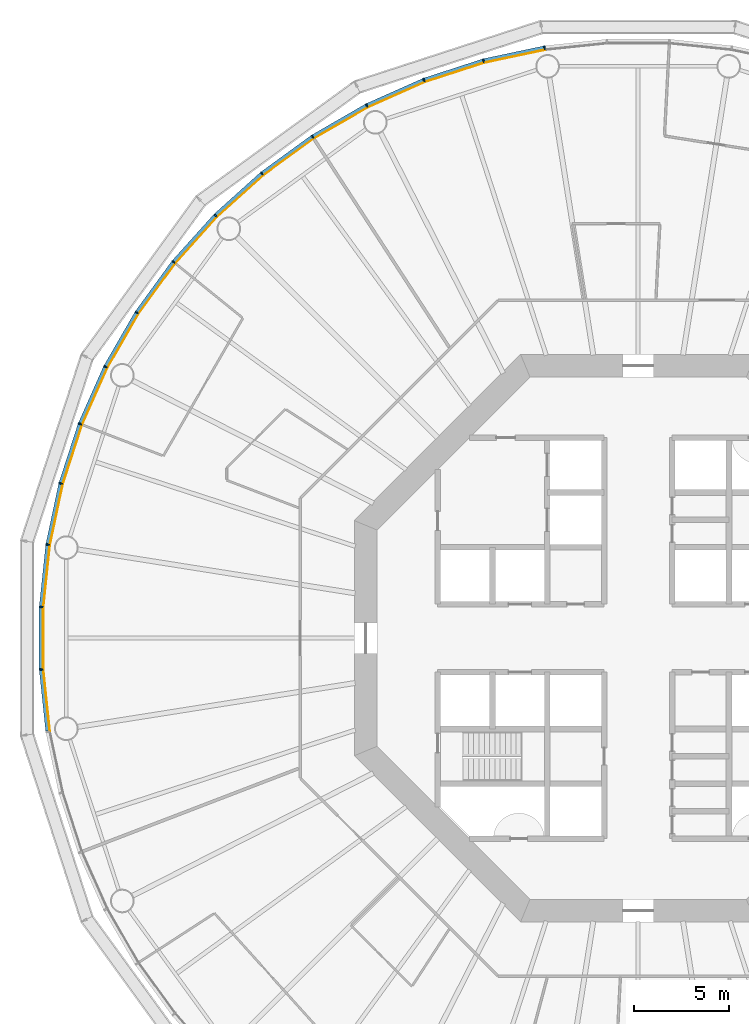
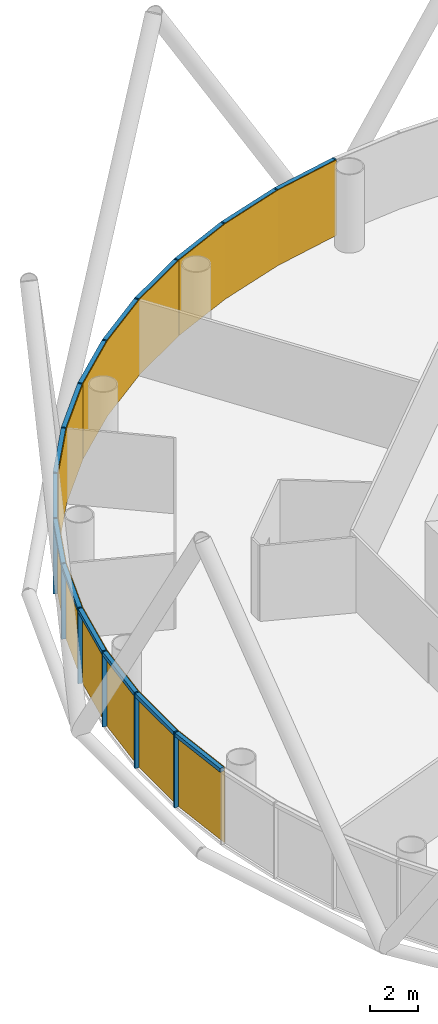
# One storey, part 10 of 13: 30 members, 5 curtain walls.
"""IFC4 building model written with IfcOpenShell, lengths in metres."""

from ifc_helpers import new_model, si_unit, direction, frame, origin, origin_2d, place, context, subcontext, project, spatial, polyline, rectangle, outline, extrude, material, layer, layer_set, material_profile, profile_set, type_object, element, aggregate, save


model = new_model("IFC4")

# Units and contexts
model_context = context("Model", 3, precision=1e-05, world=origin(), true_north=direction((0.0, 1.0)))
body_context = subcontext(model_context, "Body", "Model", "MODEL_VIEW")
ifc_project = project(units=[si_unit("LENGTHUNIT", "METRE"), si_unit("AREAUNIT", "SQUARE_METRE"), si_unit("VOLUMEUNIT", "CUBIC_METRE"), si_unit("PLANEANGLEUNIT", "RADIAN"), si_unit("MASSUNIT", "GRAM", prefix="KILO")], contexts=[model_context])

# Member
ifc_material_1 = material(Name="Anodised aluminium", Category="aluminium")
ifc_material_profile_1 = material_profile(ifc_material_1, rectangle(XDim=0.070068359375, YDim=0.199951171875, at=origin_2d()), Name="Mullion 70 x 200 mm anodised aluminium")
ifc_profile_set_1 = profile_set([ifc_material_profile_1], Name="Anodised aluminium")
member_type_1 = type_object("IfcMemberType", Name="Mullion 70 x 200 mm anodised aluminium", PredefinedType="MULLION", material=ifc_profile_set_1)
site_placement = place(None, origin())
building_placement = place(site_placement, origin())
storey_placement = place(building_placement, frame((0.0, 0.0, 116.0)))
member_1_placement = place(storey_placement, frame((85.056640625, 111.2109375, 0.0), z_axis=(0.0, 0.0, 1.0), x_axis=(-0.987688340595, -0.15643446504, 0.0)))
member_1 = element("IfcMember", 1, at=member_1_placement, type_object=member_type_1, Name="MULLION L26-15", PredefinedType="MULLION", context=body_context, shape_type="SweptSolid", body=[
    extrude(rectangle(XDim=0.070068359375, YDim=0.199951171875, at=origin_2d()), origin(), (0.0, 0.0, 1.0), 3.85009765625),
])

member_2_placement = place(storey_placement, frame((81.8212890625, 110.523193359375, 0.0), z_axis=(0.0, 0.0, 1.0), x_axis=(-0.965925826289, -0.258819045103, 0.0)))
member_2 = element("IfcMember", 2, at=member_2_placement, type_object=member_type_1, Name="MULLION L26-16", PredefinedType="MULLION", context=body_context, shape_type="SweptSolid", body=[
    extrude(rectangle(XDim=0.070068359375, YDim=0.199951171875, at=origin_2d()), origin(), (0.0, 0.0, 1.0), 3.85009765625),
])

member_3_placement = place(storey_placement, frame((78.675537109375, 109.501220703125, 0.0), z_axis=(0.0, 0.0, 1.0), x_axis=(-0.933580426497, -0.358367949545, 0.0)))
member_3 = element("IfcMember", 3, at=member_3_placement, type_object=member_type_1, Name="MULLION L26-17", PredefinedType="MULLION", context=body_context, shape_type="SweptSolid", body=[
    extrude(rectangle(XDim=0.070068359375, YDim=0.199951171875, at=origin_2d()), origin(), (0.0, 0.0, 1.0), 3.85009765625),
])

member_4_placement = place(storey_placement, frame((75.65380859375, 108.15576171875, 0.0), z_axis=(0.0, 0.0, 1.0), x_axis=(-0.891006524188, -0.45399049974, 0.0)))
member_4 = element("IfcMember", 4, at=member_4_placement, type_object=member_type_1, Name="MULLION L26-18", PredefinedType="MULLION", context=body_context, shape_type="SweptSolid", body=[
    extrude(rectangle(XDim=0.070068359375, YDim=0.199951171875, at=origin_2d()), origin(), (0.0, 0.0, 1.0), 3.85009765625),
])

member_5_placement = place(storey_placement, frame((72.789306640625, 106.501953125, 0.0), z_axis=(0.0, 0.0, 1.0), x_axis=(-0.838670567945, -0.544639035015, 0.0)))
member_5 = element("IfcMember", 5, at=member_5_placement, type_object=member_type_1, Name="MULLION L26-19", PredefinedType="MULLION", context=body_context, shape_type="SweptSolid", body=[
    extrude(rectangle(XDim=0.070068359375, YDim=0.199951171875, at=origin_2d()), origin(), (0.0, 0.0, 1.0), 3.85009765625),
])

member_6_placement = place(storey_placement, frame((70.113525390625, 104.557861328125, 0.0), z_axis=(0.0, 0.0, 1.0), x_axis=(-0.777145961457, -0.62932039105, 0.0)))
member_6 = element("IfcMember", 6, at=member_6_placement, type_object=member_type_1, Name="MULLION L26-20", PredefinedType="MULLION", context=body_context, shape_type="SweptSolid", body=[
    extrude(rectangle(XDim=0.070068359375, YDim=0.199951171875, at=origin_2d()), origin(), (0.0, 0.0, 1.0), 3.85009765625),
])

member_7_placement = place(storey_placement, frame((67.655517578125, 102.344482421875, 0.0), z_axis=(0.0, 0.0, 1.0), x_axis=(-0.707106781187, -0.707106781187, 0.0)))
member_7 = element("IfcMember", 7, at=member_7_placement, type_object=member_type_1, Name="MULLION L26-21", PredefinedType="MULLION", context=body_context, shape_type="SweptSolid", body=[
    extrude(rectangle(XDim=0.070068359375, YDim=0.199951171875, at=origin_2d()), origin(), (0.0, 0.0, 1.0), 3.85009765625),
])

member_8_placement = place(storey_placement, frame((65.442138671875, 99.886474609375, 0.0), z_axis=(0.0, 0.0, 1.0), x_axis=(-0.62932039105, -0.777145961457, 0.0)))
member_8 = element("IfcMember", 8, at=member_8_placement, type_object=member_type_1, Name="MULLION L26-22", PredefinedType="MULLION", context=body_context, shape_type="SweptSolid", body=[
    extrude(rectangle(XDim=0.070068359375, YDim=0.199951171875, at=origin_2d()), origin(), (0.0, 0.0, 1.0), 3.85009765625),
])

member_9_placement = place(storey_placement, frame((63.498046875, 97.210693359375, 0.0), z_axis=(0.0, 0.0, 1.0), x_axis=(-0.544639035015, -0.838670567945, 0.0)))
member_9 = element("IfcMember", 9, at=member_9_placement, type_object=member_type_1, Name="MULLION L26-23", PredefinedType="MULLION", context=body_context, shape_type="SweptSolid", body=[
    extrude(rectangle(XDim=0.070068359375, YDim=0.199951171875, at=origin_2d()), origin(), (0.0, 0.0, 1.0), 3.85009765625),
])

member_10_placement = place(storey_placement, frame((61.84423828125, 94.34619140625, 0.0), z_axis=(0.0, 0.0, 1.0), x_axis=(-0.45399049974, -0.891006524188, 0.0)))
member_10 = element("IfcMember", 10, at=member_10_placement, type_object=member_type_1, Name="MULLION L26-24", PredefinedType="MULLION", context=body_context, shape_type="SweptSolid", body=[
    extrude(rectangle(XDim=0.070068359375, YDim=0.199951171875, at=origin_2d()), origin(), (0.0, 0.0, 1.0), 3.85009765625),
])

member_11_placement = place(storey_placement, frame((60.498779296875, 91.324462890625, 0.0), z_axis=(0.0, 0.0, 1.0), x_axis=(-0.358367949545, -0.933580426497, 0.0)))
member_11 = element("IfcMember", 11, at=member_11_placement, type_object=member_type_1, Name="MULLION L26-25", PredefinedType="MULLION", context=body_context, shape_type="SweptSolid", body=[
    extrude(rectangle(XDim=0.070068359375, YDim=0.199951171875, at=origin_2d()), origin(), (0.0, 0.0, 1.0), 3.85009765625),
])

member_12_placement = place(storey_placement, frame((59.476806640625, 88.1787109375, 0.0), z_axis=(0.0, 0.0, 1.0), x_axis=(-0.258819045103, -0.965925826289, 0.0)))
member_12 = element("IfcMember", 12, at=member_12_placement, type_object=member_type_1, Name="MULLION L26-26", PredefinedType="MULLION", context=body_context, shape_type="SweptSolid", body=[
    extrude(rectangle(XDim=0.070068359375, YDim=0.199951171875, at=origin_2d()), origin(), (0.0, 0.0, 1.0), 3.85009765625),
])

member_13_placement = place(storey_placement, frame((58.7890625, 84.943359375, 0.0), z_axis=(0.0, 0.0, 1.0), x_axis=(-0.15643446504, -0.987688340595, 0.0)))
member_13 = element("IfcMember", 13, at=member_13_placement, type_object=member_type_1, Name="MULLION L26-27", PredefinedType="MULLION", context=body_context, shape_type="SweptSolid", body=[
    extrude(rectangle(XDim=0.070068359375, YDim=0.199951171875, at=origin_2d()), origin(), (0.0, 0.0, 1.0), 3.85009765625),
])

member_14_placement = place(storey_placement, frame((58.443359375, 81.65380859375, 0.0), z_axis=(0.0, 0.0, 1.0), x_axis=(-0.052335956243, -0.998629534755, 0.0)))
member_14 = element("IfcMember", 14, at=member_14_placement, type_object=member_type_1, Name="MULLION L26-28", PredefinedType="MULLION", context=body_context, shape_type="SweptSolid", body=[
    extrude(rectangle(XDim=0.070068359375, YDim=0.199951171875, at=origin_2d()), origin(), (0.0, 0.0, 1.0), 3.85009765625),
])

member_15_placement = place(storey_placement, frame((58.443359375, 78.34619140625, 0.0), z_axis=(0.0, 0.0, 1.0), x_axis=(0.052335956243, -0.998629534755, 0.0)))
member_15 = element("IfcMember", 15, at=member_15_placement, type_object=member_type_1, Name="MULLION L26-29", PredefinedType="MULLION", context=body_context, shape_type="SweptSolid", body=[
    extrude(rectangle(XDim=0.070068359375, YDim=0.199951171875, at=origin_2d()), origin(), (0.0, 0.0, 1.0), 3.85009765625),
])

ifc_material_2 = material(Name="Anodised aluminium", Category="aluminium")
ifc_material_profile_2 = material_profile(ifc_material_2, rectangle(XDim=0.199951171875, YDim=0.18994140625, at=origin_2d()), Name="Transom 190 x 200 mm anodised aluminium")
ifc_profile_set_2 = profile_set([ifc_material_profile_2], Name="Anodised aluminium")
member_type_2 = type_object("IfcMemberType", Name="Transom 190 x 200 mm anodised aluminium", PredefinedType="USERDEFINED", material=ifc_profile_set_2)
member_16_placement = place(storey_placement, frame((85.017333984375, 111.20263671875, 3.7548828125), z_axis=(-0.978153082647, -0.207885898771, 0.0), x_axis=(0.207885898771, -0.978153082647, 0.0)))
member_16 = element("IfcMember", 16, at=member_16_placement, type_object=member_type_2, Name="TRANSOM L26-15", ObjectType="TRANSOM", PredefinedType="USERDEFINED", context=body_context, shape_type="SweptSolid", body=[
    extrude(rectangle(XDim=0.199951171875, YDim=0.18994140625, at=origin_2d()), origin(), (0.0, 0.0, 1.0), 3.227294921875),
])

member_17_placement = place(storey_placement, frame((81.782958984375, 110.510986328125, 3.7548828125), z_axis=(-0.951046855117, -0.309046726844, 0.0), x_axis=(0.309046726844, -0.951046855117, 0.0)))
member_17 = element("IfcMember", 17, at=member_17_placement, type_object=member_type_2, Name="TRANSOM L26-16", ObjectType="TRANSOM", PredefinedType="USERDEFINED", context=body_context, shape_type="SweptSolid", body=[
    extrude(rectangle(XDim=0.199951171875, YDim=0.18994140625, at=origin_2d()), origin(), (0.0, 0.0, 1.0), 3.22705078125),
])

member_18_placement = place(storey_placement, frame((78.638671875, 109.48486328125, 3.7548828125), z_axis=(-0.913549291349, -0.406728032322, 0.0), x_axis=(0.406728032322, -0.913549291349, 0.0)))
member_18 = element("IfcMember", 18, at=member_18_placement, type_object=member_type_2, Name="TRANSOM L26-17", ObjectType="TRANSOM", PredefinedType="USERDEFINED", context=body_context, shape_type="SweptSolid", body=[
    extrude(rectangle(XDim=0.199951171875, YDim=0.18994140625, at=origin_2d()), origin(), (0.0, 0.0, 1.0), 3.22705078125),
])

member_19_placement = place(storey_placement, frame((75.618896484375, 108.1357421875, 3.7548828125), z_axis=(-0.866023062494, -0.500004055213, 0.0), x_axis=(0.500004055213, -0.866023062494, 0.0)))
member_19 = element("IfcMember", 19, at=member_19_placement, type_object=member_type_2, Name="TRANSOM L26-18", ObjectType="TRANSOM", PredefinedType="USERDEFINED", context=body_context, shape_type="SweptSolid", body=[
    extrude(rectangle(XDim=0.199951171875, YDim=0.18994140625, at=origin_2d()), origin(), (0.0, 0.0, 1.0), 3.22705078125),
])

member_20_placement = place(storey_placement, frame((72.7568359375, 106.478515625, 3.7548828125), z_axis=(-0.809004252048, -0.587802790201, 0.0), x_axis=(0.587802790201, -0.809004252048, 0.0)))
member_20 = element("IfcMember", 20, at=member_20_placement, type_object=member_type_2, Name="TRANSOM L26-19", ObjectType="TRANSOM", PredefinedType="USERDEFINED", context=body_context, shape_type="SweptSolid", body=[
    extrude(rectangle(XDim=0.199951171875, YDim=0.18994140625, at=origin_2d()), origin(), (0.0, 0.0, 1.0), 3.227294921875),
])

member_21_placement = place(storey_placement, frame((70.08349609375, 104.531005859375, 3.7548828125), z_axis=(-0.743132370743, -0.669144438484, 0.0), x_axis=(0.669144438484, -0.743132370743, 0.0)))
member_21 = element("IfcMember", 21, at=member_21_placement, type_object=member_type_2, Name="TRANSOM L26-20", ObjectType="TRANSOM", PredefinedType="USERDEFINED", context=body_context, shape_type="SweptSolid", body=[
    extrude(rectangle(XDim=0.199951171875, YDim=0.18994140625, at=origin_2d()), origin(), (0.0, 0.0, 1.0), 3.22705078125),
])

member_22_placement = place(storey_placement, frame((67.62841796875, 102.314697265625, 3.7548828125), z_axis=(-0.669144438484, -0.743132370743, 0.0), x_axis=(0.743132370743, -0.669144438484, 0.0)))
member_22 = element("IfcMember", 22, at=member_22_placement, type_object=member_type_2, Name="TRANSOM L26-21", ObjectType="TRANSOM", PredefinedType="USERDEFINED", context=body_context, shape_type="SweptSolid", body=[
    extrude(rectangle(XDim=0.199951171875, YDim=0.18994140625, at=origin_2d()), origin(), (0.0, 0.0, 1.0), 3.22705078125),
])

member_23_placement = place(storey_placement, frame((65.41845703125, 99.85400390625, 3.7548828125), z_axis=(-0.587802790201, -0.809004252048, 0.0), x_axis=(0.809004252048, -0.587802790201, 0.0)))
member_23 = element("IfcMember", 23, at=member_23_placement, type_object=member_type_2, Name="TRANSOM L26-22", ObjectType="TRANSOM", PredefinedType="USERDEFINED", context=body_context, shape_type="SweptSolid", body=[
    extrude(rectangle(XDim=0.199951171875, YDim=0.18994140625, at=origin_2d()), origin(), (0.0, 0.0, 1.0), 3.227294921875),
])

member_24_placement = place(storey_placement, frame((63.477783203125, 97.17578125, 3.7548828125), z_axis=(-0.500004055213, -0.866023062494, 0.0), x_axis=(0.866023062494, -0.500004055213, 0.0)))
member_24 = element("IfcMember", 24, at=member_24_placement, type_object=member_type_2, Name="TRANSOM L26-23", ObjectType="TRANSOM", PredefinedType="USERDEFINED", context=body_context, shape_type="SweptSolid", body=[
    extrude(rectangle(XDim=0.199951171875, YDim=0.18994140625, at=origin_2d()), origin(), (0.0, 0.0, 1.0), 3.22705078125),
])

member_25_placement = place(storey_placement, frame((61.82763671875, 94.309326171875, 3.7548828125), z_axis=(-0.406728032322, -0.913549291349, 0.0), x_axis=(0.913549291349, -0.406728032322, 0.0)))
member_25 = element("IfcMember", 25, at=member_25_placement, type_object=member_type_2, Name="TRANSOM L26-24", ObjectType="TRANSOM", PredefinedType="USERDEFINED", context=body_context, shape_type="SweptSolid", body=[
    extrude(rectangle(XDim=0.199951171875, YDim=0.18994140625, at=origin_2d()), origin(), (0.0, 0.0, 1.0), 3.22705078125),
])

member_26_placement = place(storey_placement, frame((60.486328125, 91.2861328125, 3.7548828125), z_axis=(-0.309046726844, -0.951046855117, 0.0), x_axis=(0.951046855117, -0.309046726844, 0.0)))
member_26 = element("IfcMember", 26, at=member_26_placement, type_object=member_type_2, Name="TRANSOM L26-25", ObjectType="TRANSOM", PredefinedType="USERDEFINED", context=body_context, shape_type="SweptSolid", body=[
    extrude(rectangle(XDim=0.199951171875, YDim=0.18994140625, at=origin_2d()), origin(), (0.0, 0.0, 1.0), 3.22705078125),
])

member_27_placement = place(storey_placement, frame((59.46826171875, 88.139404296875, 3.7548828125), z_axis=(-0.207885898771, -0.978153082647, 0.0), x_axis=(0.978153082647, -0.207885898771, 0.0)))
member_27 = element("IfcMember", 27, at=member_27_placement, type_object=member_type_2, Name="TRANSOM L26-26", ObjectType="TRANSOM", PredefinedType="USERDEFINED", context=body_context, shape_type="SweptSolid", body=[
    extrude(rectangle(XDim=0.199951171875, YDim=0.18994140625, at=origin_2d()), origin(), (0.0, 0.0, 1.0), 3.227294921875),
])

member_28_placement = place(storey_placement, frame((58.78466796875, 84.9033203125, 3.7548828125), z_axis=(-0.104550890115, -0.994519537956, 0.0), x_axis=(0.994519537956, -0.104550890115, 0.0)))
member_28 = element("IfcMember", 28, at=member_28_placement, type_object=member_type_2, Name="TRANSOM L26-27", ObjectType="TRANSOM", PredefinedType="USERDEFINED", context=body_context, shape_type="SweptSolid", body=[
    extrude(rectangle(XDim=0.199951171875, YDim=0.18994140625, at=origin_2d()), origin(), (0.0, 0.0, 1.0), 3.22705078125),
])

member_29_placement = place(storey_placement, frame((58.443115234375, 81.613525390625, 3.7548828125), z_axis=(0.0, -1.0, 0.0), x_axis=(1.0, 0.0, 0.0)))
member_29 = element("IfcMember", 29, at=member_29_placement, type_object=member_type_2, Name="TRANSOM L26-28", ObjectType="TRANSOM", PredefinedType="USERDEFINED", context=body_context, shape_type="SweptSolid", body=[
    extrude(rectangle(XDim=0.199951171875, YDim=0.18994140625, at=origin_2d()), origin(), (0.0, 0.0, 1.0), 3.22705078125),
])

member_30_placement = place(storey_placement, frame((58.447265625, 78.30615234375, 3.7548828125), z_axis=(0.104550890115, -0.994519537956, 0.0), x_axis=(0.994519537956, 0.104550890115, 0.0)))
member_30 = element("IfcMember", 30, at=member_30_placement, type_object=member_type_2, Name="TRANSOM L26-29", ObjectType="TRANSOM", PredefinedType="USERDEFINED", context=body_context, shape_type="SweptSolid", body=[
    extrude(rectangle(XDim=0.199951171875, YDim=0.18994140625, at=origin_2d()), origin(), (0.0, 0.0, 1.0), 3.22705078125),
])

# Site, building, storey
site = spatial("IfcSite", under=ifc_project, at=site_placement, CompositionType="ELEMENT")
building = spatial("IfcBuilding", under=site, at=building_placement, Name="Entoto Ring Tower", CompositionType="ELEMENT")
storey = spatial("IfcBuildingStorey", under=building, at=storey_placement, Name="L26", CompositionType="ELEMENT", Elevation=116.0)

# Curtain wall
ifc_material_3 = material(Name="Clear low-iron glass", Category="glass")
ifc_layer = layer(ifc_material_3, 0.035888671875)
ifc_layer_set = layer_set([ifc_layer], Name="Clear low-iron glass")
curtain_wall_type = type_object("IfcCurtainWallType", Name="Curtain wall system CW2 glazing 36 mm", PredefinedType="NOTDEFINED", material=ifc_layer_set)
curtain_wall_1_placement = place(storey_placement, origin())
curtain_wall_1 = element("IfcCurtainWall", 31, at=curtain_wall_1_placement, inside=storey, type_object=curtain_wall_type, Name="CW2 L26-06", PredefinedType="NOTDEFINED", context=body_context, shape_type="SweptSolid", body=[
    extrude(outline(polyline([(85.072265625, 111.1123046875), (81.84716796875, 110.4267578125), (78.71142578125, 109.40771484375), (75.69921875, 108.066650390625), (75.715576171875, 108.03466796875), (78.724365234375, 109.3740234375), (81.8564453125, 110.391845703125), (85.077880859375, 111.07666015625), (85.072265625, 111.1123046875)])), origin(), (0.0, 0.0, 1.0), 3.85009765625),
])

aggregate(curtain_wall_1, [member_1, member_2, member_3, member_16, member_17, member_18])

curtain_wall_2_placement = place(storey_placement, origin())
curtain_wall_2 = element("IfcCurtainWall", 32, at=curtain_wall_2_placement, inside=storey, type_object=curtain_wall_type, Name="CW2 L26-07", PredefinedType="NOTDEFINED", context=body_context, shape_type="SweptSolid", body=[
    extrude(outline(polyline([(75.69921875, 108.066650390625), (72.84375, 106.418212890625), (70.176513671875, 104.47998046875), (67.72607421875, 102.27392578125), (67.751708984375, 102.248291015625), (70.198974609375, 104.4521484375), (72.863525390625, 106.387939453125), (75.715576171875, 108.03466796875), (75.69921875, 108.066650390625)])), origin(), (0.0, 0.0, 1.0), 3.85009765625),
])

aggregate(curtain_wall_2, [member_4, member_5, member_6, member_19, member_20, member_21])

curtain_wall_3_placement = place(storey_placement, origin())
curtain_wall_3 = element("IfcCurtainWall", 33, at=curtain_wall_3_placement, inside=storey, type_object=curtain_wall_type, Name="CW2 L26-08", PredefinedType="NOTDEFINED", context=body_context, shape_type="SweptSolid", body=[
    extrude(outline(polyline([(67.72607421875, 102.27392578125), (65.52001953125, 99.823486328125), (63.581787109375, 97.15625), (61.933349609375, 94.30078125), (61.96533203125, 94.284423828125), (63.612060546875, 97.136474609375), (65.5478515625, 99.801025390625), (67.751708984375, 102.248291015625), (67.72607421875, 102.27392578125)])), origin(), (0.0, 0.0, 1.0), 3.85009765625),
])

aggregate(curtain_wall_3, [member_7, member_8, member_9, member_22, member_23, member_24])

curtain_wall_4_placement = place(storey_placement, origin())
curtain_wall_4 = element("IfcCurtainWall", 34, at=curtain_wall_4_placement, inside=storey, type_object=curtain_wall_type, Name="CW2 L26-09", PredefinedType="NOTDEFINED", context=body_context, shape_type="SweptSolid", body=[
    extrude(outline(polyline([(61.933349609375, 94.30078125), (60.59228515625, 91.28857421875), (59.5732421875, 88.15283203125), (58.8876953125, 84.927734375), (58.92333984375, 84.922119140625), (59.608154296875, 88.1435546875), (60.6259765625, 91.275634765625), (61.96533203125, 94.284423828125), (61.933349609375, 94.30078125)])), origin(), (0.0, 0.0, 1.0), 3.85009765625),
])

aggregate(curtain_wall_4, [member_10, member_11, member_12, member_25, member_26, member_27])

curtain_wall_5_placement = place(storey_placement, origin())
curtain_wall_5 = element("IfcCurtainWall", 35, at=curtain_wall_5_placement, inside=storey, type_object=curtain_wall_type, Name="CW2 L26-10", PredefinedType="NOTDEFINED", context=body_context, shape_type="SweptSolid", body=[
    extrude(outline(polyline([(58.8876953125, 84.927734375), (58.543212890625, 81.648681640625), (58.543212890625, 78.351318359375), (58.8876953125, 75.072265625), (58.92333984375, 75.077880859375), (58.5791015625, 78.353271484375), (58.5791015625, 81.646728515625), (58.92333984375, 84.922119140625), (58.8876953125, 84.927734375)])), origin(), (0.0, 0.0, 1.0), 3.85009765625),
])

aggregate(curtain_wall_5, [member_13, member_14, member_15, member_28, member_29, member_30])

save(model, "model.ifc")
